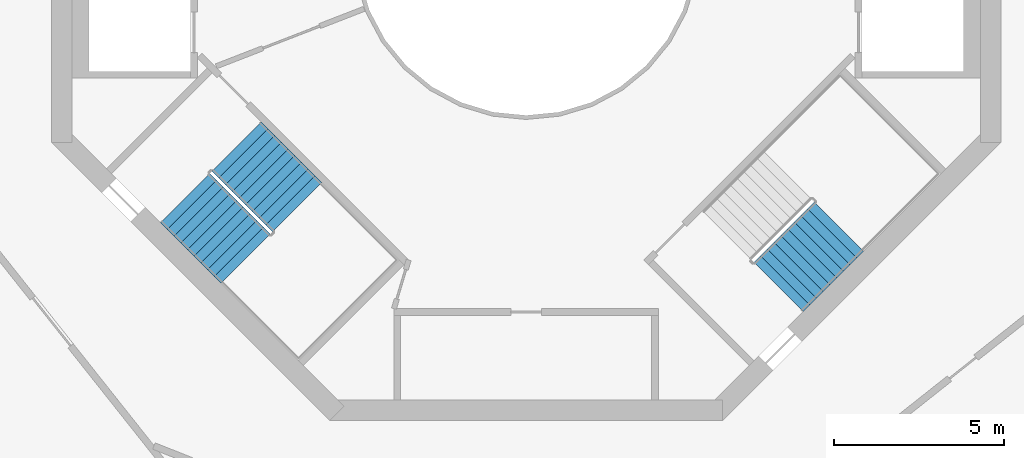
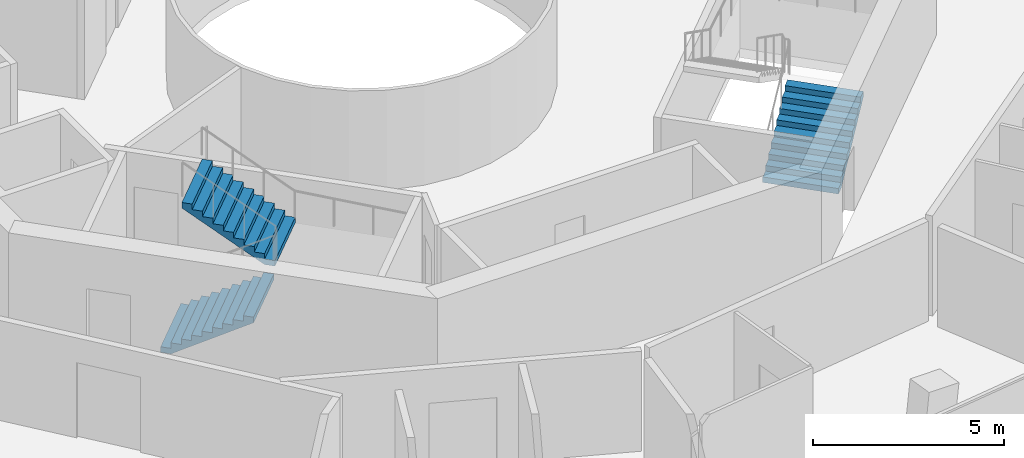
# One storey, part 19 of 21: 3 stair flights, 2 elements without a shape of their own.
"""IFC4 building model written with IfcOpenShell, lengths in metres."""

from ifc_helpers import new_model, si_unit, direction, frame, origin, place, context, subcontext, project, spatial, triangles, material, type_object, element, aggregate, save


model = new_model("IFC4")

# Units and contexts
model_context = context("Model", 3, precision=1e-05, world=origin(), true_north=direction((0.0, 1.0)))
body_context = subcontext(model_context, "Body", "Model", "MODEL_VIEW")
ifc_project = project(units=[si_unit("LENGTHUNIT", "METRE"), si_unit("AREAUNIT", "SQUARE_METRE"), si_unit("VOLUMEUNIT", "CUBIC_METRE"), si_unit("PLANEANGLEUNIT", "RADIAN"), si_unit("MASSUNIT", "GRAM", prefix="KILO")], contexts=[model_context])

# Site, building, storey
site_placement = place(None, origin())
site = spatial("IfcSite", under=ifc_project, at=site_placement, CompositionType="ELEMENT")
building_placement = place(site_placement, origin())
building = spatial("IfcBuilding", under=site, at=building_placement, Name="Verdalira Terraces Hotel", CompositionType="ELEMENT")
storey_placement = place(building_placement, frame((0.0, 0.0, 190.5)))
storey = spatial("IfcBuildingStorey", under=building, at=storey_placement, Name="L46", CompositionType="ELEMENT", Elevation=190.5)

# Stair, stair flights
ifc_material_1 = material(Name="Concrete C40", Category="concrete")
stair_type = type_object("IfcStairType", Name="Core stair 20 risers 2050 mm wide", PredefinedType="HALF_TURN_STAIR", material=ifc_material_1)
stair_1_placement = place(storey_placement, origin())
stair_1 = element("IfcStair", 1, at=stair_1_placement, inside=storey, type_object=stair_type, Name="L46 Exit stair ST2", PredefinedType="HALF_TURN_STAIR")
ifc_material_2 = material(Name="Concrete C40", Category="concrete")
stair_flight_type = type_object("IfcStairFlightType", Name="Core stair flight 20 risers 2050 mm wide", PredefinedType="STRAIGHT", material=ifc_material_2)
stair_flight_1_placement = place(storey_placement, frame((-10.058594, -7.442383, 0.0), z_axis=(0.0, 0.0, 1.0), x_axis=(0.707106781, -0.707106781, 0.0)))
stair_flight_1 = element("IfcStairFlight", 2, at=stair_flight_1_placement, type_object=stair_flight_type, Name="ST2 flight 1", NumberOfRisers=10, NumberOfTreads=9, PredefinedType="STRAIGHT", RiserHeight=0.175, TreadLength=0.28, context=body_context, shape_type="Tessellation", body=[
    triangles([(0.0, 1.025024, 0.0), (0.282715, 1.025024, 0.0), (2.52002, 1.025024, 1.398193), (0.0, -1.025024, 0.0), (0.282715, -1.025024, 0.0), (2.52002, -1.025024, 1.398193), (2.52002, 1.025024, 1.574951), (2.23999, 1.025024, 1.574951), (2.52002, -1.025024, 1.574951), (2.23999, -1.025024, 1.574951), (2.23999, 1.025024, 1.399902), (2.23999, -1.025024, 1.399902), (1.959961, 1.025024, 1.399902), (1.959961, -1.025024, 1.399902), (1.959961, 1.025024, 1.225098), (1.959961, -1.025024, 1.225098), (1.679932, 1.025024, 1.225098), (1.679932, 1.025024, 1.050049), (1.679932, -1.025024, 1.225098), (1.679932, -1.025024, 1.050049), (1.399902, 1.025024, 1.050049), (1.399902, 1.025024, 0.875), (1.399902, -1.025024, 1.050049), (1.399902, -1.025024, 0.875), (1.120117, 1.025024, 0.875), (1.120117, 1.025024, 0.699951), (1.120117, -1.025024, 0.875), (1.120117, -1.025024, 0.699951), (0.840088, 1.025024, 0.699951), (0.840088, 1.025024, 0.524902), (0.840088, -1.025024, 0.699951), (0.840088, -1.025024, 0.524902), (0.560059, 1.025024, 0.524902), (0.560059, 1.025024, 0.350098), (0.560059, -1.025024, 0.524902), (0.560059, -1.025024, 0.350098), (0.280029, 1.025024, 0.350098), (0.280029, 1.025024, 0.175049), (0.280029, -1.025024, 0.350098), (0.280029, -1.025024, 0.175049), (0.0, 1.025024, 0.175049), (0.0, -1.025024, 0.175049), (0.0, -0.96096, 0.0), (0.0, -0.96096, 0.175049), (0.0, -0.896896, 0.0), (0.0, -0.896896, 0.175049), (0.0, -0.832832, 0.0), (0.0, -0.832832, 0.175049), (0.0, -0.768768, 0.0), (0.0, -0.768768, 0.175049), (0.0, -0.704704, 0.0), (0.0, -0.704704, 0.175049), (0.0, -0.64064, 0.0), (0.0, -0.64064, 0.175049), (0.0, -0.576576, 0.0), (0.0, -0.576576, 0.175049), (0.0, -0.512512, 0.0), (0.0, -0.512512, 0.175049), (0.0, -0.448448, 0.0), (0.0, -0.448448, 0.175049), (0.0, -0.384384, 0.0), (0.0, -0.384384, 0.175049), (0.0, -0.32032, 0.0), (0.0, -0.32032, 0.175049), (0.0, -0.256256, 0.0), (0.0, -0.256256, 0.175049), (0.0, -0.192192, 0.0), (0.0, -0.192192, 0.175049), (0.0, -0.128128, 0.0), (0.0, -0.128128, 0.175049), (0.0, -0.064064, 0.0), (0.0, -0.064064, 0.175049), (0.0, 0.0, 0.0), (0.0, 0.0, 0.175049), (0.0, 0.064064, 0.0), (0.0, 0.064064, 0.175049), (0.0, 0.128128, 0.0), (0.0, 0.128128, 0.175049), (0.0, 0.192192, 0.0), (0.0, 0.192192, 0.175049), (0.0, 0.256256, 0.0), (0.0, 0.256256, 0.175049), (0.0, 0.32032, 0.0), (0.0, 0.32032, 0.175049), (0.0, 0.384384, 0.0), (0.0, 0.384384, 0.175049), (0.0, 0.448448, 0.0), (0.0, 0.448448, 0.175049), (0.0, 0.512512, 0.0), (0.0, 0.512512, 0.175049), (0.0, 0.576576, 0.0), (0.0, 0.576576, 0.175049), (0.0, 0.64064, 0.0), (0.0, 0.64064, 0.175049), (0.0, 0.704704, 0.0), (0.0, 0.704704, 0.175049), (0.0, 0.768768, 0.0), (0.0, 0.768768, 0.175049), (0.0, 0.832832, 0.0), (0.0, 0.832832, 0.175049), (0.0, 0.896896, 0.0), (0.0, 0.896896, 0.175049), (0.0, 0.96096, 0.0), (0.0, 0.96096, 0.175049), (2.52002, -0.96096, 1.574951), (2.52002, -0.896896, 1.574951), (2.52002, -0.832832, 1.574951), (2.52002, -0.768768, 1.574951), (2.52002, -0.704704, 1.574951), (2.52002, -0.64064, 1.574951), (2.52002, -0.576576, 1.574951), (2.52002, -0.512512, 1.574951), (2.52002, -0.448448, 1.574951), (2.52002, -0.384384, 1.574951), (2.52002, -0.32032, 1.574951), (2.52002, -0.256256, 1.574951), (2.52002, -0.192192, 1.574951), (2.52002, -0.128128, 1.574951), (2.52002, -0.064064, 1.574951), (2.52002, 0.0, 1.574951), (2.52002, 0.064064, 1.574951), (2.52002, 0.128128, 1.574951), (2.52002, 0.192192, 1.574951), (2.52002, 0.256256, 1.574951), (2.52002, 0.32032, 1.574951), (2.52002, 0.384384, 1.574951), (2.52002, 0.448448, 1.574951), (2.52002, 0.512512, 1.574951), (2.52002, 0.576576, 1.574951), (2.52002, 0.64064, 1.574951), (2.52002, 0.704704, 1.574951), (2.52002, 0.768768, 1.574951), (2.52002, 0.832832, 1.574951), (2.52002, 0.896896, 1.574951), (2.52002, 0.96096, 1.574951), (2.52002, -0.96096, 1.398193), (2.52002, -0.896896, 1.398193), (2.52002, -0.832832, 1.398193), (2.52002, -0.768768, 1.398193), (2.52002, -0.704704, 1.398193), (2.52002, -0.64064, 1.398193), (2.52002, -0.576576, 1.398193), (2.52002, -0.512512, 1.398193), (2.52002, -0.448448, 1.398193), (2.52002, -0.384384, 1.398193), (2.52002, -0.32032, 1.398193), (2.52002, -0.256256, 1.398193), (2.52002, -0.192192, 1.398193), (2.52002, -0.128128, 1.398193), (2.52002, -0.064064, 1.398193), (2.52002, 0.0, 1.398193), (2.52002, 0.064064, 1.398193), (2.52002, 0.128128, 1.398193), (2.52002, 0.192192, 1.398193), (2.52002, 0.256256, 1.398193), (2.52002, 0.32032, 1.398193), (2.52002, 0.384384, 1.398193), (2.52002, 0.448448, 1.398193), (2.52002, 0.512512, 1.398193), (2.52002, 0.576576, 1.398193), (2.52002, 0.64064, 1.398193), (2.52002, 0.704704, 1.398193), (2.52002, 0.768768, 1.398193), (2.52002, 0.832832, 1.398193), (2.52002, 0.896896, 1.398193), (2.52002, 0.96096, 1.398193)], [[1, 3, 2], [4, 5, 6], [3, 8, 7], [6, 9, 10], [3, 11, 8], [6, 10, 12], [3, 13, 11], [6, 12, 14], [3, 15, 13], [6, 14, 16], [15, 18, 17], [16, 19, 20], [3, 18, 15], [6, 16, 20], [18, 22, 21], [20, 23, 24], [3, 22, 18], [6, 20, 24], [22, 26, 25], [24, 27, 28], [3, 26, 22], [6, 24, 28], [26, 30, 29], [28, 31, 32], [3, 30, 26], [6, 28, 32], [1, 30, 3], [4, 6, 32], [30, 34, 33], [32, 35, 36], [34, 38, 37], [36, 39, 40], [30, 38, 34], [32, 36, 40], [1, 38, 30], [4, 32, 40], [38, 1, 41], [40, 42, 4], [4, 44, 43], [4, 42, 44], [43, 46, 45], [43, 44, 46], [45, 48, 47], [45, 46, 48], [47, 50, 49], [47, 48, 50], [49, 52, 51], [49, 50, 52], [51, 54, 53], [51, 52, 54], [53, 56, 55], [53, 54, 56], [55, 58, 57], [55, 56, 58], [57, 60, 59], [57, 58, 60], [59, 62, 61], [59, 60, 62], [61, 64, 63], [61, 62, 64], [63, 66, 65], [63, 64, 66], [65, 68, 67], [65, 66, 68], [67, 70, 69], [67, 68, 70], [69, 72, 71], [69, 70, 72], [71, 74, 73], [71, 72, 74], [73, 76, 75], [73, 74, 76], [75, 78, 77], [75, 76, 78], [77, 80, 79], [77, 78, 80], [79, 82, 81], [79, 80, 82], [81, 84, 83], [81, 82, 84], [83, 86, 85], [83, 84, 86], [85, 88, 87], [85, 86, 88], [87, 90, 89], [87, 88, 90], [89, 92, 91], [89, 90, 92], [91, 94, 93], [91, 92, 94], [93, 96, 95], [93, 94, 96], [95, 98, 97], [95, 96, 98], [97, 100, 99], [97, 98, 100], [99, 102, 101], [99, 100, 102], [101, 104, 103], [101, 102, 104], [103, 41, 1], [103, 104, 41], [42, 40, 44], [44, 40, 46], [46, 40, 48], [48, 40, 50], [50, 40, 52], [52, 40, 54], [54, 40, 56], [56, 40, 58], [58, 40, 60], [60, 40, 62], [62, 40, 64], [64, 40, 66], [66, 40, 68], [68, 40, 70], [70, 40, 72], [72, 40, 74], [74, 40, 76], [76, 40, 78], [78, 40, 80], [80, 40, 82], [82, 40, 84], [84, 40, 86], [86, 40, 88], [88, 40, 90], [90, 40, 92], [92, 40, 94], [94, 40, 96], [96, 40, 98], [98, 40, 100], [100, 40, 102], [102, 40, 104], [104, 40, 41], [41, 40, 38], [40, 37, 38], [40, 39, 37], [39, 34, 37], [39, 36, 34], [36, 33, 34], [36, 35, 33], [35, 30, 33], [35, 32, 30], [32, 29, 30], [32, 31, 29], [31, 26, 29], [31, 28, 26], [28, 25, 26], [28, 27, 25], [27, 22, 25], [27, 24, 22], [24, 21, 22], [24, 23, 21], [23, 18, 21], [23, 20, 18], [20, 17, 18], [20, 19, 17], [19, 15, 17], [19, 16, 15], [16, 13, 15], [16, 14, 13], [14, 11, 13], [14, 12, 11], [12, 8, 11], [12, 10, 8], [9, 105, 10], [105, 106, 10], [106, 107, 10], [107, 108, 10], [108, 109, 10], [109, 110, 10], [110, 111, 10], [111, 112, 10], [112, 113, 10], [113, 114, 10], [114, 115, 10], [115, 116, 10], [116, 117, 10], [117, 118, 10], [118, 119, 10], [119, 120, 10], [120, 121, 10], [121, 122, 10], [122, 123, 10], [123, 124, 10], [124, 125, 10], [125, 126, 10], [126, 127, 10], [127, 128, 10], [128, 129, 10], [129, 130, 10], [130, 131, 10], [131, 132, 10], [132, 133, 10], [133, 134, 10], [134, 135, 10], [135, 7, 10], [7, 8, 10], [9, 136, 105], [9, 6, 136], [105, 137, 106], [105, 136, 137], [106, 138, 107], [106, 137, 138], [107, 139, 108], [107, 138, 139], [108, 140, 109], [108, 139, 140], [109, 141, 110], [109, 140, 141], [110, 142, 111], [110, 141, 142], [111, 143, 112], [111, 142, 143], [112, 144, 113], [112, 143, 144], [113, 145, 114], [113, 144, 145], [114, 146, 115], [114, 145, 146], [115, 147, 116], [115, 146, 147], [116, 148, 117], [116, 147, 148], [117, 149, 118], [117, 148, 149], [118, 150, 119], [118, 149, 150], [119, 151, 120], [119, 150, 151], [120, 152, 121], [120, 151, 152], [121, 153, 122], [121, 152, 153], [122, 154, 123], [122, 153, 154], [123, 155, 124], [123, 154, 155], [124, 156, 125], [124, 155, 156], [125, 157, 126], [125, 156, 157], [126, 158, 127], [126, 157, 158], [127, 159, 128], [127, 158, 159], [128, 160, 129], [128, 159, 160], [129, 161, 130], [129, 160, 161], [130, 162, 131], [130, 161, 162], [131, 163, 132], [131, 162, 163], [132, 164, 133], [132, 163, 164], [133, 165, 134], [133, 164, 165], [134, 166, 135], [134, 165, 166], [135, 3, 7], [135, 166, 3], [6, 5, 136], [136, 5, 137], [137, 5, 138], [138, 5, 139], [139, 5, 140], [140, 5, 141], [141, 5, 142], [142, 5, 143], [143, 5, 144], [144, 5, 145], [145, 5, 146], [146, 5, 147], [147, 5, 148], [148, 5, 149], [149, 5, 150], [150, 5, 151], [151, 5, 152], [152, 5, 153], [153, 5, 154], [154, 5, 155], [155, 5, 156], [156, 5, 157], [157, 5, 158], [158, 5, 159], [159, 5, 160], [160, 5, 161], [161, 5, 162], [162, 5, 163], [163, 5, 164], [164, 5, 165], [165, 5, 166], [166, 5, 3], [3, 5, 2], [4, 43, 5], [43, 45, 5], [45, 47, 5], [47, 49, 5], [49, 51, 5], [51, 53, 5], [53, 55, 5], [55, 57, 5], [57, 59, 5], [59, 61, 5], [61, 63, 5], [63, 65, 5], [65, 67, 5], [67, 69, 5], [69, 71, 5], [71, 73, 5], [73, 75, 5], [75, 77, 5], [77, 79, 5], [79, 81, 5], [81, 83, 5], [83, 85, 5], [85, 87, 5], [87, 89, 5], [89, 91, 5], [91, 93, 5], [93, 95, 5], [95, 97, 5], [97, 99, 5], [99, 101, 5], [101, 103, 5], [103, 1, 5], [1, 2, 5]], closed=True),
])
stair_flight_2_placement = place(storey_placement, frame((-6.756348, -7.703857, 1.75), z_axis=(0.0, 0.0, 1.0), x_axis=(-0.707106781, 0.707106781, 0.0)))
stair_flight_2 = element("IfcStairFlight", 3, at=stair_flight_2_placement, type_object=stair_flight_type, Name="ST2 flight 2", NumberOfRisers=10, NumberOfTreads=9, PredefinedType="STRAIGHT", RiserHeight=0.175, TreadLength=0.28, context=body_context, shape_type="Tessellation", body=[
    triangles([(0.0, 1.025024, 0.0), (0.282715, 1.025024, 0.0), (2.52002, 1.025024, 1.398193), (0.0, -1.025024, 0.0), (0.282715, -1.025024, 0.0), (2.52002, -1.025024, 1.398193), (2.52002, 1.025024, 1.574951), (2.23999, 1.025024, 1.574951), (2.52002, -1.025024, 1.574951), (2.23999, -1.025024, 1.574951), (2.23999, 1.025024, 1.399902), (2.23999, -1.025024, 1.399902), (1.959961, 1.025024, 1.399902), (1.959961, -1.025024, 1.399902), (1.959961, 1.025024, 1.225098), (1.959961, -1.025024, 1.225098), (1.679932, 1.025024, 1.225098), (1.679932, 1.025024, 1.050049), (1.679932, -1.025024, 1.225098), (1.679932, -1.025024, 1.050049), (1.399902, 1.025024, 1.050049), (1.399902, 1.025024, 0.875), (1.399902, -1.025024, 1.050049), (1.399902, -1.025024, 0.875), (1.120117, 1.025024, 0.875), (1.120117, 1.025024, 0.699951), (1.120117, -1.025024, 0.875), (1.120117, -1.025024, 0.699951), (0.840088, 1.025024, 0.699951), (0.840088, 1.025024, 0.524902), (0.840088, -1.025024, 0.699951), (0.840088, -1.025024, 0.524902), (0.560059, 1.025024, 0.524902), (0.560059, 1.025024, 0.350098), (0.560059, -1.025024, 0.524902), (0.560059, -1.025024, 0.350098), (0.280029, 1.025024, 0.350098), (0.280029, 1.025024, 0.175049), (0.280029, -1.025024, 0.350098), (0.280029, -1.025024, 0.175049), (0.0, 1.025024, 0.175049), (0.0, -1.025024, 0.175049), (0.0, -0.96096, 0.0), (0.0, -0.96096, 0.175049), (0.0, -0.896896, 0.0), (0.0, -0.896896, 0.175049), (0.0, -0.832832, 0.0), (0.0, -0.832832, 0.175049), (0.0, -0.768768, 0.0), (0.0, -0.768768, 0.175049), (0.0, -0.704704, 0.0), (0.0, -0.704704, 0.175049), (0.0, -0.64064, 0.0), (0.0, -0.64064, 0.175049), (0.0, -0.576576, 0.0), (0.0, -0.576576, 0.175049), (0.0, -0.512512, 0.0), (0.0, -0.512512, 0.175049), (0.0, -0.448448, 0.0), (0.0, -0.448448, 0.175049), (0.0, -0.384384, 0.0), (0.0, -0.384384, 0.175049), (0.0, -0.32032, 0.0), (0.0, -0.32032, 0.175049), (0.0, -0.256256, 0.0), (0.0, -0.256256, 0.175049), (0.0, -0.192192, 0.0), (0.0, -0.192192, 0.175049), (0.0, -0.128128, 0.0), (0.0, -0.128128, 0.175049), (0.0, -0.064064, 0.0), (0.0, -0.064064, 0.175049), (0.0, 0.0, 0.0), (0.0, 0.0, 0.175049), (0.0, 0.064064, 0.0), (0.0, 0.064064, 0.175049), (0.0, 0.128128, 0.0), (0.0, 0.128128, 0.175049), (0.0, 0.192192, 0.0), (0.0, 0.192192, 0.175049), (0.0, 0.256256, 0.0), (0.0, 0.256256, 0.175049), (0.0, 0.32032, 0.0), (0.0, 0.32032, 0.175049), (0.0, 0.384384, 0.0), (0.0, 0.384384, 0.175049), (0.0, 0.448448, 0.0), (0.0, 0.448448, 0.175049), (0.0, 0.512512, 0.0), (0.0, 0.512512, 0.175049), (0.0, 0.576576, 0.0), (0.0, 0.576576, 0.175049), (0.0, 0.64064, 0.0), (0.0, 0.64064, 0.175049), (0.0, 0.704704, 0.0), (0.0, 0.704704, 0.175049), (0.0, 0.768768, 0.0), (0.0, 0.768768, 0.175049), (0.0, 0.832832, 0.0), (0.0, 0.832832, 0.175049), (0.0, 0.896896, 0.0), (0.0, 0.896896, 0.175049), (0.0, 0.96096, 0.0), (0.0, 0.96096, 0.175049), (2.52002, -0.96096, 1.574951), (2.52002, -0.896896, 1.574951), (2.52002, -0.832832, 1.574951), (2.52002, -0.768768, 1.574951), (2.52002, -0.704704, 1.574951), (2.52002, -0.64064, 1.574951), (2.52002, -0.576576, 1.574951), (2.52002, -0.512512, 1.574951), (2.52002, -0.448448, 1.574951), (2.52002, -0.384384, 1.574951), (2.52002, -0.32032, 1.574951), (2.52002, -0.256256, 1.574951), (2.52002, -0.192192, 1.574951), (2.52002, -0.128128, 1.574951), (2.52002, -0.064064, 1.574951), (2.52002, 0.0, 1.574951), (2.52002, 0.064064, 1.574951), (2.52002, 0.128128, 1.574951), (2.52002, 0.192192, 1.574951), (2.52002, 0.256256, 1.574951), (2.52002, 0.32032, 1.574951), (2.52002, 0.384384, 1.574951), (2.52002, 0.448448, 1.574951), (2.52002, 0.512512, 1.574951), (2.52002, 0.576576, 1.574951), (2.52002, 0.64064, 1.574951), (2.52002, 0.704704, 1.574951), (2.52002, 0.768768, 1.574951), (2.52002, 0.832832, 1.574951), (2.52002, 0.896896, 1.574951), (2.52002, 0.96096, 1.574951), (2.52002, -0.96096, 1.398193), (2.52002, -0.896896, 1.398193), (2.52002, -0.832832, 1.398193), (2.52002, -0.768768, 1.398193), (2.52002, -0.704704, 1.398193), (2.52002, -0.64064, 1.398193), (2.52002, -0.576576, 1.398193), (2.52002, -0.512512, 1.398193), (2.52002, -0.448448, 1.398193), (2.52002, -0.384384, 1.398193), (2.52002, -0.32032, 1.398193), (2.52002, -0.256256, 1.398193), (2.52002, -0.192192, 1.398193), (2.52002, -0.128128, 1.398193), (2.52002, -0.064064, 1.398193), (2.52002, 0.0, 1.398193), (2.52002, 0.064064, 1.398193), (2.52002, 0.128128, 1.398193), (2.52002, 0.192192, 1.398193), (2.52002, 0.256256, 1.398193), (2.52002, 0.32032, 1.398193), (2.52002, 0.384384, 1.398193), (2.52002, 0.448448, 1.398193), (2.52002, 0.512512, 1.398193), (2.52002, 0.576576, 1.398193), (2.52002, 0.64064, 1.398193), (2.52002, 0.704704, 1.398193), (2.52002, 0.768768, 1.398193), (2.52002, 0.832832, 1.398193), (2.52002, 0.896896, 1.398193), (2.52002, 0.96096, 1.398193)], [[1, 3, 2], [4, 5, 6], [3, 8, 7], [6, 9, 10], [3, 11, 8], [6, 10, 12], [3, 13, 11], [6, 12, 14], [3, 15, 13], [6, 14, 16], [15, 18, 17], [16, 19, 20], [3, 18, 15], [6, 16, 20], [18, 22, 21], [20, 23, 24], [3, 22, 18], [6, 20, 24], [22, 26, 25], [24, 27, 28], [3, 26, 22], [6, 24, 28], [26, 30, 29], [28, 31, 32], [3, 30, 26], [6, 28, 32], [1, 30, 3], [4, 6, 32], [30, 34, 33], [32, 35, 36], [34, 38, 37], [36, 39, 40], [30, 38, 34], [32, 36, 40], [1, 38, 30], [4, 32, 40], [38, 1, 41], [40, 42, 4], [4, 44, 43], [4, 42, 44], [43, 46, 45], [43, 44, 46], [45, 48, 47], [45, 46, 48], [47, 50, 49], [47, 48, 50], [49, 52, 51], [49, 50, 52], [51, 54, 53], [51, 52, 54], [53, 56, 55], [53, 54, 56], [55, 58, 57], [55, 56, 58], [57, 60, 59], [57, 58, 60], [59, 62, 61], [59, 60, 62], [61, 64, 63], [61, 62, 64], [63, 66, 65], [63, 64, 66], [65, 68, 67], [65, 66, 68], [67, 70, 69], [67, 68, 70], [69, 72, 71], [69, 70, 72], [71, 74, 73], [71, 72, 74], [73, 76, 75], [73, 74, 76], [75, 78, 77], [75, 76, 78], [77, 80, 79], [77, 78, 80], [79, 82, 81], [79, 80, 82], [81, 84, 83], [81, 82, 84], [83, 86, 85], [83, 84, 86], [85, 88, 87], [85, 86, 88], [87, 90, 89], [87, 88, 90], [89, 92, 91], [89, 90, 92], [91, 94, 93], [91, 92, 94], [93, 96, 95], [93, 94, 96], [95, 98, 97], [95, 96, 98], [97, 100, 99], [97, 98, 100], [99, 102, 101], [99, 100, 102], [101, 104, 103], [101, 102, 104], [103, 41, 1], [103, 104, 41], [42, 40, 44], [44, 40, 46], [46, 40, 48], [48, 40, 50], [50, 40, 52], [52, 40, 54], [54, 40, 56], [56, 40, 58], [58, 40, 60], [60, 40, 62], [62, 40, 64], [64, 40, 66], [66, 40, 68], [68, 40, 70], [70, 40, 72], [72, 40, 74], [74, 40, 76], [76, 40, 78], [78, 40, 80], [80, 40, 82], [82, 40, 84], [84, 40, 86], [86, 40, 88], [88, 40, 90], [90, 40, 92], [92, 40, 94], [94, 40, 96], [96, 40, 98], [98, 40, 100], [100, 40, 102], [102, 40, 104], [104, 40, 41], [41, 40, 38], [40, 37, 38], [40, 39, 37], [39, 34, 37], [39, 36, 34], [36, 33, 34], [36, 35, 33], [35, 30, 33], [35, 32, 30], [32, 29, 30], [32, 31, 29], [31, 26, 29], [31, 28, 26], [28, 25, 26], [28, 27, 25], [27, 22, 25], [27, 24, 22], [24, 21, 22], [24, 23, 21], [23, 18, 21], [23, 20, 18], [20, 17, 18], [20, 19, 17], [19, 15, 17], [19, 16, 15], [16, 13, 15], [16, 14, 13], [14, 11, 13], [14, 12, 11], [12, 8, 11], [12, 10, 8], [9, 105, 10], [105, 106, 10], [106, 107, 10], [107, 108, 10], [108, 109, 10], [109, 110, 10], [110, 111, 10], [111, 112, 10], [112, 113, 10], [113, 114, 10], [114, 115, 10], [115, 116, 10], [116, 117, 10], [117, 118, 10], [118, 119, 10], [119, 120, 10], [120, 121, 10], [121, 122, 10], [122, 123, 10], [123, 124, 10], [124, 125, 10], [125, 126, 10], [126, 127, 10], [127, 128, 10], [128, 129, 10], [129, 130, 10], [130, 131, 10], [131, 132, 10], [132, 133, 10], [133, 134, 10], [134, 135, 10], [135, 7, 10], [7, 8, 10], [9, 136, 105], [9, 6, 136], [105, 137, 106], [105, 136, 137], [106, 138, 107], [106, 137, 138], [107, 139, 108], [107, 138, 139], [108, 140, 109], [108, 139, 140], [109, 141, 110], [109, 140, 141], [110, 142, 111], [110, 141, 142], [111, 143, 112], [111, 142, 143], [112, 144, 113], [112, 143, 144], [113, 145, 114], [113, 144, 145], [114, 146, 115], [114, 145, 146], [115, 147, 116], [115, 146, 147], [116, 148, 117], [116, 147, 148], [117, 149, 118], [117, 148, 149], [118, 150, 119], [118, 149, 150], [119, 151, 120], [119, 150, 151], [120, 152, 121], [120, 151, 152], [121, 153, 122], [121, 152, 153], [122, 154, 123], [122, 153, 154], [123, 155, 124], [123, 154, 155], [124, 156, 125], [124, 155, 156], [125, 157, 126], [125, 156, 157], [126, 158, 127], [126, 157, 158], [127, 159, 128], [127, 158, 159], [128, 160, 129], [128, 159, 160], [129, 161, 130], [129, 160, 161], [130, 162, 131], [130, 161, 162], [131, 163, 132], [131, 162, 163], [132, 164, 133], [132, 163, 164], [133, 165, 134], [133, 164, 165], [134, 166, 135], [134, 165, 166], [135, 3, 7], [135, 166, 3], [6, 5, 136], [136, 5, 137], [137, 5, 138], [138, 5, 139], [139, 5, 140], [140, 5, 141], [141, 5, 142], [142, 5, 143], [143, 5, 144], [144, 5, 145], [145, 5, 146], [146, 5, 147], [147, 5, 148], [148, 5, 149], [149, 5, 150], [150, 5, 151], [151, 5, 152], [152, 5, 153], [153, 5, 154], [154, 5, 155], [155, 5, 156], [156, 5, 157], [157, 5, 158], [158, 5, 159], [159, 5, 160], [160, 5, 161], [161, 5, 162], [162, 5, 163], [163, 5, 164], [164, 5, 165], [165, 5, 166], [166, 5, 3], [3, 5, 2], [4, 43, 5], [43, 45, 5], [45, 47, 5], [47, 49, 5], [49, 51, 5], [51, 53, 5], [53, 55, 5], [55, 57, 5], [57, 59, 5], [59, 61, 5], [61, 63, 5], [63, 65, 5], [65, 67, 5], [67, 69, 5], [69, 71, 5], [71, 73, 5], [73, 75, 5], [75, 77, 5], [77, 79, 5], [79, 81, 5], [81, 83, 5], [83, 85, 5], [85, 87, 5], [87, 89, 5], [89, 91, 5], [91, 93, 5], [93, 95, 5], [95, 97, 5], [97, 99, 5], [99, 101, 5], [101, 103, 5], [103, 1, 5], [1, 2, 5]], closed=True),
])
aggregate(stair_1, [stair_flight_1, stair_flight_2])

# Stair, stair flight
stair_2_placement = place(storey_placement, origin())
stair_2 = element("IfcStair", 4, at=stair_2_placement, inside=storey, type_object=stair_type, Name="L46 Exit stair ST3", PredefinedType="HALF_TURN_STAIR")
stair_flight_3_placement = place(storey_placement, frame((7.442383, -10.058594, 0.0), z_axis=(0.0, 0.0, 1.0), x_axis=(0.707106781, 0.707106781, 0.0)))
stair_flight_3 = element("IfcStairFlight", 5, at=stair_flight_3_placement, type_object=stair_flight_type, Name="ST3 flight 1", NumberOfRisers=10, NumberOfTreads=9, PredefinedType="STRAIGHT", RiserHeight=0.175, TreadLength=0.28, context=body_context, shape_type="Tessellation", body=[
    triangles([(0.0, 1.025024, 0.0), (0.282715, 1.025024, 0.0), (2.52002, 1.025024, 1.398193), (0.0, -1.025024, 0.0), (0.282715, -1.025024, 0.0), (2.52002, -1.025024, 1.398193), (2.52002, 1.025024, 1.574951), (2.23999, 1.025024, 1.574951), (2.52002, -1.025024, 1.574951), (2.23999, -1.025024, 1.574951), (2.23999, 1.025024, 1.399902), (2.23999, -1.025024, 1.399902), (1.959961, 1.025024, 1.399902), (1.959961, -1.025024, 1.399902), (1.959961, 1.025024, 1.225098), (1.959961, -1.025024, 1.225098), (1.679932, 1.025024, 1.225098), (1.679932, 1.025024, 1.050049), (1.679932, -1.025024, 1.225098), (1.679932, -1.025024, 1.050049), (1.399902, 1.025024, 1.050049), (1.399902, 1.025024, 0.875), (1.399902, -1.025024, 1.050049), (1.399902, -1.025024, 0.875), (1.120117, 1.025024, 0.875), (1.120117, 1.025024, 0.699951), (1.120117, -1.025024, 0.875), (1.120117, -1.025024, 0.699951), (0.840088, 1.025024, 0.699951), (0.840088, 1.025024, 0.524902), (0.840088, -1.025024, 0.699951), (0.840088, -1.025024, 0.524902), (0.560059, 1.025024, 0.524902), (0.560059, 1.025024, 0.350098), (0.560059, -1.025024, 0.524902), (0.560059, -1.025024, 0.350098), (0.280029, 1.025024, 0.350098), (0.280029, 1.025024, 0.175049), (0.280029, -1.025024, 0.350098), (0.280029, -1.025024, 0.175049), (0.0, 1.025024, 0.175049), (0.0, -1.025024, 0.175049), (0.0, -0.96096, 0.0), (0.0, -0.96096, 0.175049), (0.0, -0.896896, 0.0), (0.0, -0.896896, 0.175049), (0.0, -0.832832, 0.0), (0.0, -0.832832, 0.175049), (0.0, -0.768768, 0.0), (0.0, -0.768768, 0.175049), (0.0, -0.704704, 0.0), (0.0, -0.704704, 0.175049), (0.0, -0.64064, 0.0), (0.0, -0.64064, 0.175049), (0.0, -0.576576, 0.0), (0.0, -0.576576, 0.175049), (0.0, -0.512512, 0.0), (0.0, -0.512512, 0.175049), (0.0, -0.448448, 0.0), (0.0, -0.448448, 0.175049), (0.0, -0.384384, 0.0), (0.0, -0.384384, 0.175049), (0.0, -0.32032, 0.0), (0.0, -0.32032, 0.175049), (0.0, -0.256256, 0.0), (0.0, -0.256256, 0.175049), (0.0, -0.192192, 0.0), (0.0, -0.192192, 0.175049), (0.0, -0.128128, 0.0), (0.0, -0.128128, 0.175049), (0.0, -0.064064, 0.0), (0.0, -0.064064, 0.175049), (0.0, 0.0, 0.0), (0.0, 0.0, 0.175049), (0.0, 0.064064, 0.0), (0.0, 0.064064, 0.175049), (0.0, 0.128128, 0.0), (0.0, 0.128128, 0.175049), (0.0, 0.192192, 0.0), (0.0, 0.192192, 0.175049), (0.0, 0.256256, 0.0), (0.0, 0.256256, 0.175049), (0.0, 0.32032, 0.0), (0.0, 0.32032, 0.175049), (0.0, 0.384384, 0.0), (0.0, 0.384384, 0.175049), (0.0, 0.448448, 0.0), (0.0, 0.448448, 0.175049), (0.0, 0.512512, 0.0), (0.0, 0.512512, 0.175049), (0.0, 0.576576, 0.0), (0.0, 0.576576, 0.175049), (0.0, 0.64064, 0.0), (0.0, 0.64064, 0.175049), (0.0, 0.704704, 0.0), (0.0, 0.704704, 0.175049), (0.0, 0.768768, 0.0), (0.0, 0.768768, 0.175049), (0.0, 0.832832, 0.0), (0.0, 0.832832, 0.175049), (0.0, 0.896896, 0.0), (0.0, 0.896896, 0.175049), (0.0, 0.96096, 0.0), (0.0, 0.96096, 0.175049), (2.52002, -0.96096, 1.574951), (2.52002, -0.896896, 1.574951), (2.52002, -0.832832, 1.574951), (2.52002, -0.768768, 1.574951), (2.52002, -0.704704, 1.574951), (2.52002, -0.64064, 1.574951), (2.52002, -0.576576, 1.574951), (2.52002, -0.512512, 1.574951), (2.52002, -0.448448, 1.574951), (2.52002, -0.384384, 1.574951), (2.52002, -0.32032, 1.574951), (2.52002, -0.256256, 1.574951), (2.52002, -0.192192, 1.574951), (2.52002, -0.128128, 1.574951), (2.52002, -0.064064, 1.574951), (2.52002, 0.0, 1.574951), (2.52002, 0.064064, 1.574951), (2.52002, 0.128128, 1.574951), (2.52002, 0.192192, 1.574951), (2.52002, 0.256256, 1.574951), (2.52002, 0.32032, 1.574951), (2.52002, 0.384384, 1.574951), (2.52002, 0.448448, 1.574951), (2.52002, 0.512512, 1.574951), (2.52002, 0.576576, 1.574951), (2.52002, 0.64064, 1.574951), (2.52002, 0.704704, 1.574951), (2.52002, 0.768768, 1.574951), (2.52002, 0.832832, 1.574951), (2.52002, 0.896896, 1.574951), (2.52002, 0.96096, 1.574951), (2.52002, -0.96096, 1.398193), (2.52002, -0.896896, 1.398193), (2.52002, -0.832832, 1.398193), (2.52002, -0.768768, 1.398193), (2.52002, -0.704704, 1.398193), (2.52002, -0.64064, 1.398193), (2.52002, -0.576576, 1.398193), (2.52002, -0.512512, 1.398193), (2.52002, -0.448448, 1.398193), (2.52002, -0.384384, 1.398193), (2.52002, -0.32032, 1.398193), (2.52002, -0.256256, 1.398193), (2.52002, -0.192192, 1.398193), (2.52002, -0.128128, 1.398193), (2.52002, -0.064064, 1.398193), (2.52002, 0.0, 1.398193), (2.52002, 0.064064, 1.398193), (2.52002, 0.128128, 1.398193), (2.52002, 0.192192, 1.398193), (2.52002, 0.256256, 1.398193), (2.52002, 0.32032, 1.398193), (2.52002, 0.384384, 1.398193), (2.52002, 0.448448, 1.398193), (2.52002, 0.512512, 1.398193), (2.52002, 0.576576, 1.398193), (2.52002, 0.64064, 1.398193), (2.52002, 0.704704, 1.398193), (2.52002, 0.768768, 1.398193), (2.52002, 0.832832, 1.398193), (2.52002, 0.896896, 1.398193), (2.52002, 0.96096, 1.398193)], [[1, 3, 2], [4, 5, 6], [3, 8, 7], [6, 9, 10], [3, 11, 8], [6, 10, 12], [3, 13, 11], [6, 12, 14], [3, 15, 13], [6, 14, 16], [15, 18, 17], [16, 19, 20], [3, 18, 15], [6, 16, 20], [18, 22, 21], [20, 23, 24], [3, 22, 18], [6, 20, 24], [22, 26, 25], [24, 27, 28], [3, 26, 22], [6, 24, 28], [26, 30, 29], [28, 31, 32], [3, 30, 26], [6, 28, 32], [1, 30, 3], [4, 6, 32], [30, 34, 33], [32, 35, 36], [34, 38, 37], [36, 39, 40], [30, 38, 34], [32, 36, 40], [1, 38, 30], [4, 32, 40], [38, 1, 41], [40, 42, 4], [4, 44, 43], [4, 42, 44], [43, 46, 45], [43, 44, 46], [45, 48, 47], [45, 46, 48], [47, 50, 49], [47, 48, 50], [49, 52, 51], [49, 50, 52], [51, 54, 53], [51, 52, 54], [53, 56, 55], [53, 54, 56], [55, 58, 57], [55, 56, 58], [57, 60, 59], [57, 58, 60], [59, 62, 61], [59, 60, 62], [61, 64, 63], [61, 62, 64], [63, 66, 65], [63, 64, 66], [65, 68, 67], [65, 66, 68], [67, 70, 69], [67, 68, 70], [69, 72, 71], [69, 70, 72], [71, 74, 73], [71, 72, 74], [73, 76, 75], [73, 74, 76], [75, 78, 77], [75, 76, 78], [77, 80, 79], [77, 78, 80], [79, 82, 81], [79, 80, 82], [81, 84, 83], [81, 82, 84], [83, 86, 85], [83, 84, 86], [85, 88, 87], [85, 86, 88], [87, 90, 89], [87, 88, 90], [89, 92, 91], [89, 90, 92], [91, 94, 93], [91, 92, 94], [93, 96, 95], [93, 94, 96], [95, 98, 97], [95, 96, 98], [97, 100, 99], [97, 98, 100], [99, 102, 101], [99, 100, 102], [101, 104, 103], [101, 102, 104], [103, 41, 1], [103, 104, 41], [42, 40, 44], [44, 40, 46], [46, 40, 48], [48, 40, 50], [50, 40, 52], [52, 40, 54], [54, 40, 56], [56, 40, 58], [58, 40, 60], [60, 40, 62], [62, 40, 64], [64, 40, 66], [66, 40, 68], [68, 40, 70], [70, 40, 72], [72, 40, 74], [74, 40, 76], [76, 40, 78], [78, 40, 80], [80, 40, 82], [82, 40, 84], [84, 40, 86], [86, 40, 88], [88, 40, 90], [90, 40, 92], [92, 40, 94], [94, 40, 96], [96, 40, 98], [98, 40, 100], [100, 40, 102], [102, 40, 104], [104, 40, 41], [41, 40, 38], [40, 37, 38], [40, 39, 37], [39, 34, 37], [39, 36, 34], [36, 33, 34], [36, 35, 33], [35, 30, 33], [35, 32, 30], [32, 29, 30], [32, 31, 29], [31, 26, 29], [31, 28, 26], [28, 25, 26], [28, 27, 25], [27, 22, 25], [27, 24, 22], [24, 21, 22], [24, 23, 21], [23, 18, 21], [23, 20, 18], [20, 17, 18], [20, 19, 17], [19, 15, 17], [19, 16, 15], [16, 13, 15], [16, 14, 13], [14, 11, 13], [14, 12, 11], [12, 8, 11], [12, 10, 8], [9, 105, 10], [105, 106, 10], [106, 107, 10], [107, 108, 10], [108, 109, 10], [109, 110, 10], [110, 111, 10], [111, 112, 10], [112, 113, 10], [113, 114, 10], [114, 115, 10], [115, 116, 10], [116, 117, 10], [117, 118, 10], [118, 119, 10], [119, 120, 10], [120, 121, 10], [121, 122, 10], [122, 123, 10], [123, 124, 10], [124, 125, 10], [125, 126, 10], [126, 127, 10], [127, 128, 10], [128, 129, 10], [129, 130, 10], [130, 131, 10], [131, 132, 10], [132, 133, 10], [133, 134, 10], [134, 135, 10], [135, 7, 10], [7, 8, 10], [9, 136, 105], [9, 6, 136], [105, 137, 106], [105, 136, 137], [106, 138, 107], [106, 137, 138], [107, 139, 108], [107, 138, 139], [108, 140, 109], [108, 139, 140], [109, 141, 110], [109, 140, 141], [110, 142, 111], [110, 141, 142], [111, 143, 112], [111, 142, 143], [112, 144, 113], [112, 143, 144], [113, 145, 114], [113, 144, 145], [114, 146, 115], [114, 145, 146], [115, 147, 116], [115, 146, 147], [116, 148, 117], [116, 147, 148], [117, 149, 118], [117, 148, 149], [118, 150, 119], [118, 149, 150], [119, 151, 120], [119, 150, 151], [120, 152, 121], [120, 151, 152], [121, 153, 122], [121, 152, 153], [122, 154, 123], [122, 153, 154], [123, 155, 124], [123, 154, 155], [124, 156, 125], [124, 155, 156], [125, 157, 126], [125, 156, 157], [126, 158, 127], [126, 157, 158], [127, 159, 128], [127, 158, 159], [128, 160, 129], [128, 159, 160], [129, 161, 130], [129, 160, 161], [130, 162, 131], [130, 161, 162], [131, 163, 132], [131, 162, 163], [132, 164, 133], [132, 163, 164], [133, 165, 134], [133, 164, 165], [134, 166, 135], [134, 165, 166], [135, 3, 7], [135, 166, 3], [6, 5, 136], [136, 5, 137], [137, 5, 138], [138, 5, 139], [139, 5, 140], [140, 5, 141], [141, 5, 142], [142, 5, 143], [143, 5, 144], [144, 5, 145], [145, 5, 146], [146, 5, 147], [147, 5, 148], [148, 5, 149], [149, 5, 150], [150, 5, 151], [151, 5, 152], [152, 5, 153], [153, 5, 154], [154, 5, 155], [155, 5, 156], [156, 5, 157], [157, 5, 158], [158, 5, 159], [159, 5, 160], [160, 5, 161], [161, 5, 162], [162, 5, 163], [163, 5, 164], [164, 5, 165], [165, 5, 166], [166, 5, 3], [3, 5, 2], [4, 43, 5], [43, 45, 5], [45, 47, 5], [47, 49, 5], [49, 51, 5], [51, 53, 5], [53, 55, 5], [55, 57, 5], [57, 59, 5], [59, 61, 5], [61, 63, 5], [63, 65, 5], [65, 67, 5], [67, 69, 5], [69, 71, 5], [71, 73, 5], [73, 75, 5], [75, 77, 5], [77, 79, 5], [79, 81, 5], [81, 83, 5], [83, 85, 5], [85, 87, 5], [87, 89, 5], [89, 91, 5], [91, 93, 5], [93, 95, 5], [95, 97, 5], [97, 99, 5], [99, 101, 5], [101, 103, 5], [103, 1, 5], [1, 2, 5]], closed=True),
])
aggregate(stair_2, [stair_flight_3])

save(model, "model.ifc")
